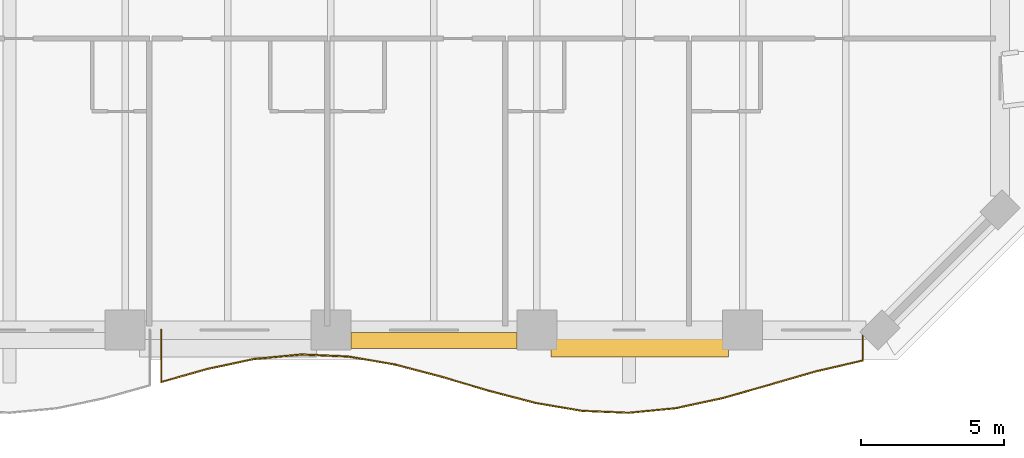
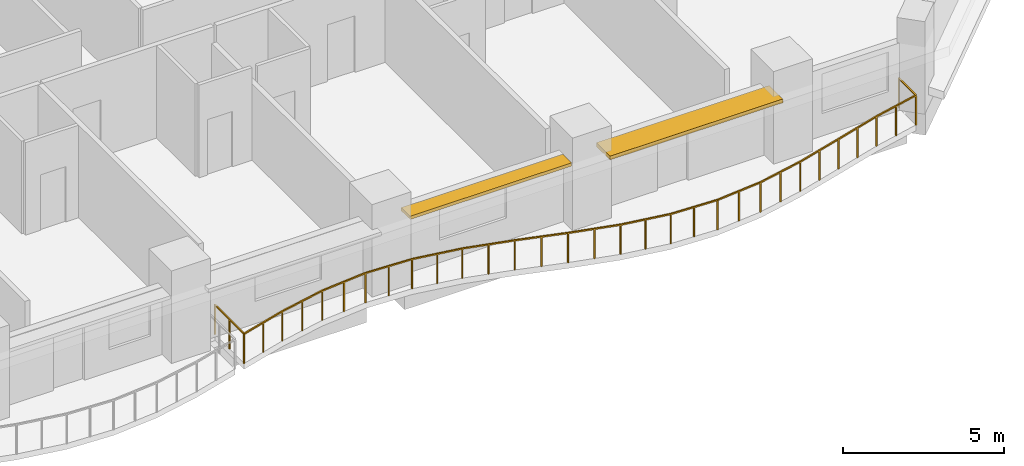
# One storey, part 14 of 15: 2 shading devices, 1 railing.
"""IFC4 building model written with IfcOpenShell, lengths in metres."""

import ifcopenshell
import ifcopenshell.guid

model = None  # the IFC model being written
_history = None  # IfcOwnerHistory: only IFC2X3 demands one
_inside = {}  # id of a spatial element -> (the spatial element, [elements in it])
_under = {}  # id of a project, library or spatial element -> (it, [spatial elements below it])
_declared = {}  # id of a project -> (the project, [libraries it declares])
_typed = {}  # id of a type object -> (the type object, [elements of that type])
_made_of = {}  # id of a material, layer set ... -> (it, [elements and type objects made of it])


def new_model(schema):
    """Start an empty IFC model of exactly this schema.

    Asked for "IFC4X3", IfcOpenShell would pick the latest addendum, in which some entities
    have other attributes; the version numbers below select the first issue.
    IFC2X3 requires an IfcOwnerHistory on every rooted entity: one is made here for all.
    """
    global model, _history
    if schema == "IFC4X3":
        model = ifcopenshell.file(schema_version=(4, 3, 0, 0))
    else:
        model = ifcopenshell.file(schema=schema)
    _inside.clear()
    _under.clear()
    _declared.clear()
    _typed.clear()
    _made_of.clear()
    _history = None
    if model.schema == "IFC2X3":
        org = make("IfcOrganization", Name="unknown")
        user = make(
            "IfcPersonAndOrganization",
            ThePerson=make("IfcPerson", FamilyName="unknown"),
            TheOrganization=org,
        )
        app = make(
            "IfcApplication",
            ApplicationDeveloper=org,
            Version="unknown",
            ApplicationFullName="unknown",
            ApplicationIdentifier="unknown",
        )
        _history = make(
            "IfcOwnerHistory",
            OwningUser=user,
            OwningApplication=app,
            ChangeAction="ADDED",
            CreationDate=0,
        )
    return model


def make(cls, **values):
    """One entity of the class cls with the attributes given. An attribute that is None is left unset."""
    return model.create_entity(
        cls, **{name: value for name, value in values.items() if value is not None}
    )


def rooted(cls, **values):
    """An entity with a GlobalId (a new one), such as an element, a storey or a relation."""
    return make(cls, GlobalId=ifcopenshell.guid.new(), OwnerHistory=_history, **values)


def si_unit(unit_type, name, prefix=None):
    """IfcSIUnit, for example si_unit("LENGTHUNIT", "METRE", prefix="MILLI")."""
    return make("IfcSIUnit", UnitType=unit_type, Prefix=prefix, Name=name)


def assignment(units):
    """IfcUnitAssignment: the units of a project."""
    return None if units is None else make("IfcUnitAssignment", Units=units)


def point(xyz):
    """IfcCartesianPoint."""
    return None if xyz is None else make("IfcCartesianPoint", Coordinates=xyz)


def direction(xyz):
    """IfcDirection."""
    return None if xyz is None else make("IfcDirection", DirectionRatios=xyz)


def frame(location, z_axis=None, x_axis=None):
    """IfcAxis2Placement3D, a coordinate frame: its origin and axes. An axis left out is left unset."""
    return make(
        "IfcAxis2Placement3D",
        Location=point(location),
        Axis=direction(z_axis),
        RefDirection=direction(x_axis),
    )


def frame_2d(location, x_axis=None):
    """IfcAxis2Placement2D, a coordinate frame in the plane: its origin and x axis."""
    return make(
        "IfcAxis2Placement2D", Location=point(location), RefDirection=direction(x_axis)
    )


def origin():
    """The frame at (0, 0, 0) with its axes left unset."""
    return frame((0.0, 0.0, 0.0))


def origin_2d():
    """The frame at (0, 0) in the plane with its x axis left unset."""
    return frame_2d((0.0, 0.0))


def place(relative_to, where):
    """IfcLocalPlacement: puts the frame where relative to a parent placement (None: the world)."""
    return make(
        "IfcLocalPlacement", PlacementRelTo=relative_to, RelativePlacement=where
    )


def context(
    kind, dimensions, precision=None, world=None, true_north=None, identifier=None
):
    """IfcGeometricRepresentationContext, for example the 3D "Model" context."""
    return make(
        "IfcGeometricRepresentationContext",
        ContextIdentifier=identifier,
        ContextType=kind,
        CoordinateSpaceDimension=dimensions,
        Precision=precision,
        WorldCoordinateSystem=world,
        TrueNorth=true_north,
    )


def subcontext(parent, identifier, kind, view, scale=None):
    """IfcGeometricRepresentationSubContext, for example "Body" below "Model"."""
    return make(
        "IfcGeometricRepresentationSubContext",
        ContextIdentifier=identifier,
        ContextType=kind,
        ParentContext=parent,
        TargetScale=scale,
        TargetView=view,
    )


def project(units=None, contexts=None):
    """IfcProject with its units and contexts."""
    return rooted(
        "IfcProject",
        Name="project",
        RepresentationContexts=contexts,
        UnitsInContext=assignment(units),
    )


def spatial(cls, under=None, at=None, **own):
    """A site, building, storey or space (cls), placed at a placement, below another one or the project."""
    s = rooted(cls, ObjectPlacement=at, **own)
    if under is not None:
        _under.setdefault(under.id(), (under, []))[1].append(s)
    return s


def profile(cls, at=None, kind="AREA", **sizes):
    """A parametric profile (cls). Its sizes go by their IFC names, for example OverallWidth=200.0."""
    return make(cls, ProfileType=kind, Position=at, **sizes)


def rectangle(**sizes):
    """IfcRectangleProfileDef."""
    return profile("IfcRectangleProfileDef", **sizes)


def extrude(swept, where, along, depth):
    """IfcExtrudedAreaSolid: the profile swept, set in the frame where, extruded along a direction by depth."""
    return make(
        "IfcExtrudedAreaSolid",
        SweptArea=swept,
        Position=where,
        ExtrudedDirection=direction(along),
        Depth=depth,
    )


def shape(context_of_items, identifier, shape_type, items):
    """IfcShapeRepresentation: the items that make up one representation, for example the "Body"."""
    return make(
        "IfcShapeRepresentation",
        ContextOfItems=context_of_items,
        RepresentationIdentifier=identifier,
        RepresentationType=shape_type,
        Items=items,
    )


def material(Name=None, Category=None):
    """IfcMaterial."""
    return make("IfcMaterial", Name=Name, Category=Category)


def layer(
    of_material, thickness, ventilated=None, Name=None, Category=None, Priority=None
):
    """IfcMaterialLayer: one layer of a wall or slab, of a material (None: an air gap)."""
    return make(
        "IfcMaterialLayer",
        Material=of_material,
        LayerThickness=thickness,
        IsVentilated=ventilated,
        Name=Name,
        Category=Category,
        Priority=Priority,
    )


def layer_set(layers, Name=None):
    """IfcMaterialLayerSet."""
    return make("IfcMaterialLayerSet", MaterialLayers=layers, LayerSetName=Name)


def made_of(thing, what):
    """Note that an element or type object is made of a material, layer set ...; save() writes the relation."""
    if what is not None:
        _made_of.setdefault(what.id(), (what, []))[1].append(thing)
    return thing


def type_object(cls, material=None, **own):
    """A type object (cls), such as IfcWallType, which elements share."""
    return made_of(rooted(cls, **own), material)


def element(
    cls,
    number,
    at=None,
    inside=None,
    cuts=None,
    type_object=None,
    material=None,
    context=None,
    identifier="Body",
    shape_type=None,
    held_by="IfcProductDefinitionShape",
    body=None,
    shapes=None,
    **own,
):
    """One element of the class cls, such as IfcWall. Its Tag is "e" and its number.

    at: its placement. inside: the storey or other place that contains it. cuts: it is an
    opening in that element (IfcRelVoidsElement). A single representation is given by context,
    identifier, shape_type and body (its items); several are given by shapes. held_by: the class
    of the entity that holds the representations. save() writes the other relations.
    """
    e = rooted(cls, Tag="e%d" % number, ObjectPlacement=at, **own)
    if body is not None:
        shapes = [shape(context, identifier, shape_type, body)]
    if shapes is not None:
        e.Representation = make(held_by, Representations=shapes)
    if inside is not None:
        _inside.setdefault(inside.id(), (inside, []))[1].append(e)
    if cuts is not None:
        rooted(
            "IfcRelVoidsElement", RelatingBuildingElement=cuts, RelatedOpeningElement=e
        )
    if type_object is not None:
        _typed.setdefault(type_object.id(), (type_object, []))[1].append(e)
    return made_of(e, material)


def aggregate(whole, parts):
    """IfcRelAggregates: a whole, such as a stair, and the parts it consists of."""
    return rooted("IfcRelAggregates", RelatingObject=whole, RelatedObjects=parts)


def save(model, path):
    """Write the relations noted so far, then the file.

    IfcRelAggregates (storeys below a building ...), IfcRelContainedInSpatialStructure (elements
    in a storey), IfcRelDefinesByType, IfcRelAssociatesMaterial and IfcRelDeclares: one each for
    every whole, place, type object, material and project.
    """
    for whole, parts in _under.values():
        aggregate(whole, parts)
    for where, things in _inside.values():
        rooted(
            "IfcRelContainedInSpatialStructure",
            RelatedElements=things,
            RelatingStructure=where,
        )
    for kind, things in _typed.values():
        rooted("IfcRelDefinesByType", RelatedObjects=things, RelatingType=kind)
    for what, things in _made_of.values():
        rooted("IfcRelAssociatesMaterial", RelatedObjects=things, RelatingMaterial=what)
    for by, libraries in _declared.values():
        rooted("IfcRelDeclares", RelatingContext=by, RelatedDefinitions=libraries)
    model.write(path)


model = new_model("IFC4")

# Units and contexts
model_context = context("Model", 3, precision=1e-05, world=origin(), true_north=direction((0.0, 1.0)))
body_context = subcontext(model_context, "Body", "Model", "MODEL_VIEW")
ifc_project = project(units=[si_unit("LENGTHUNIT", "METRE"), si_unit("AREAUNIT", "SQUARE_METRE"), si_unit("VOLUMEUNIT", "CUBIC_METRE"), si_unit("PLANEANGLEUNIT", "RADIAN"), si_unit("MASSUNIT", "GRAM", prefix="KILO")], contexts=[model_context])

# Site, building, storey
site_placement = place(None, origin())
site = spatial("IfcSite", under=ifc_project, at=site_placement, CompositionType="ELEMENT")
building_placement = place(site_placement, origin())
building = spatial("IfcBuilding", under=site, at=building_placement, Name="Kaelvorn Grand Hotel", CompositionType="ELEMENT")
storey_placement = place(building_placement, frame((0.0, 0.0, 42.64990234375)))
storey = spatial("IfcBuildingStorey", under=building, at=storey_placement, Name="L08", CompositionType="ELEMENT", Elevation=42.64990234375)

# Railing
ifc_material_1 = material(Name="Stainless Steel", Category="steel")
railing_type = type_object("IfcRailingType", Name="RL-BALC-1150", PredefinedType="BALUSTRADE", material=ifc_material_1)
railing_placement = place(storey_placement, frame((54.666748046875, 0.0, 0.0)))
element("IfcRailing", 1, at=railing_placement, inside=storey, type_object=railing_type, Name="L08 Scalloped Wave Balcony Balustrade GR1-3", PredefinedType="BALUSTRADE", context=body_context, shape_type="SweptSolid", body=[
    extrude(rectangle(XDim=0.048095703125, YDim=0.048095703125, at=origin_2d()), frame((0.0, 0.0, 1.1259765625), z_axis=(0.0, -1.0, 0.0), x_axis=(1.0, 0.0, 0.0)), (0.0, 0.0, 1.0), 1.8193359375),
    extrude(rectangle(XDim=0.048095703125, YDim=0.048095703125, at=origin_2d()), frame((0.0, -1.8193359375, 1.1259765625), z_axis=(0.962241545122, 0.272197003733, 0.0), x_axis=(-0.272197003733, 0.962241545122, 0.0)), (0.0, 0.0, 1.0), 1.69970703125),
    extrude(rectangle(XDim=0.048095703125, YDim=0.048095703125, at=origin_2d()), frame((1.635498046875, -1.356689453125, 1.1259765625), z_axis=(0.978174805455, 0.207783661466, 0.0), x_axis=(-0.207783661466, 0.978174805455, 0.0)), (0.0, 0.0, 1.0), 1.671875),
    extrude(rectangle(XDim=0.048095703125, YDim=0.048095703125, at=origin_2d()), frame((3.27099609375, -1.00927734375, 1.1259765625), z_axis=(0.995523480824, 0.09451454453, 0.0), x_axis=(-0.09451454453, 0.995523480824, 0.0)), (0.0, 0.0, 1.0), 1.642822265625),
    extrude(rectangle(XDim=0.048095703125, YDim=0.048095703125, at=origin_2d()), frame((4.906494140625, -0.85400390625, 1.1259765625), z_axis=(0.999045154146, -0.043689586592, 0.0), x_axis=(0.043689586592, 0.999045154146, 0.0)), (0.0, 0.0, 1.0), 1.63720703125),
    extrude(rectangle(XDim=0.048095703125, YDim=0.048095703125, at=origin_2d()), frame((6.542236328125, -0.925537109375, 1.1259765625), z_axis=(0.985410815118, -0.170192612792, 0.0), x_axis=(0.170192612792, 0.985410815118, 0.0)), (0.0, 0.0, 1.0), 1.65966796875),
    extrude(rectangle(XDim=0.048095703125, YDim=0.048095703125, at=origin_2d()), frame((8.177734375, -1.2080078125, 1.1259765625), z_axis=(0.967035258154, -0.254642513119, 0.0), x_axis=(0.254642513119, 0.967035258154, 0.0)), (0.0, 0.0, 1.0), 1.691162109375),
    extrude(rectangle(XDim=0.048095703125, YDim=0.048095703125, at=origin_2d()), frame((9.813232421875, -1.638671875, 1.1259765625), z_axis=(0.959066322629, -0.283181547419, 0.0), x_axis=(0.283181547419, 0.959066322629, 0.0)), (0.0, 0.0, 1.0), 1.705322265625),
    extrude(rectangle(XDim=0.048095703125, YDim=0.048095703125, at=origin_2d()), frame((11.44873046875, -2.12158203125, 1.1259765625), z_axis=(0.967363797332, -0.253391561839, 0.0), x_axis=(0.253391561839, 0.967363797332, 0.0)), (0.0, 0.0, 1.0), 1.69091796875),
    extrude(rectangle(XDim=0.048095703125, YDim=0.048095703125, at=origin_2d()), frame((13.08447265625, -2.550048828125, 1.1259765625), z_axis=(0.985827384416, -0.167762832995, 0.0), x_axis=(0.167762832995, 0.985827384416, 0.0)), (0.0, 0.0, 1.0), 1.658935546875),
    extrude(rectangle(XDim=0.048095703125, YDim=0.048095703125, at=origin_2d()), frame((14.719970703125, -2.828369140625, 1.1259765625), z_axis=(0.9991706558, -0.040718553371, 0.0), x_axis=(0.040718553371, 0.9991706558, 0.0)), (0.0, 0.0, 1.0), 1.636962890625),
    extrude(rectangle(XDim=0.048095703125, YDim=0.048095703125, at=origin_2d()), frame((16.35546875, -2.89501953125, 1.1259765625), z_axis=(0.995253950263, 0.097311738681, 0.0), x_axis=(-0.097311738681, 0.995253950263, 0.0)), (0.0, 0.0, 1.0), 1.643310546875),
    extrude(rectangle(XDim=0.048095703125, YDim=0.048095703125, at=origin_2d()), frame((17.990966796875, -2.735107421875, 1.1259765625), z_axis=(0.977727596313, 0.209877934542, 0.0), x_axis=(-0.209877934542, 0.977727596313, 0.0)), (0.0, 0.0, 1.0), 1.6728515625),
    extrude(rectangle(XDim=0.048095703125, YDim=0.048095703125, at=origin_2d()), frame((19.62646484375, -2.384033203125, 1.1259765625), z_axis=(0.962026235743, 0.272956996141, 0.0), x_axis=(-0.272956996141, 0.962026235743, 0.0)), (0.0, 0.0, 1.0), 1.7001953125),
    extrude(rectangle(XDim=0.048095703125, YDim=0.048095703125, at=origin_2d()), frame((21.26220703125, -1.919921875, 1.1259765625), z_axis=(0.960494697942, 0.278298284625, 0.0), x_axis=(-0.278298284625, 0.960494697942, 0.0)), (0.0, 0.0, 1.0), 1.702880859375),
    extrude(rectangle(XDim=0.048095703125, YDim=0.048095703125, at=origin_2d()), frame((22.897705078125, -1.446044921875, 1.1259765625), z_axis=(0.974229174149, 0.225560449187, 0.0), x_axis=(-0.225560449187, 0.974229174149, 0.0)), (0.0, 0.0, 1.0), 1.6787109375),
    extrude(rectangle(XDim=0.048095703125, YDim=0.048095703125, at=origin_2d()), frame((24.533203125, -1.0673828125, 1.1259765625), z_axis=(0.0, 1.0, 0.0), x_axis=(-1.0, 0.0, 0.0)), (0.0, 0.0, 1.0), 1.0673828125),
    extrude(rectangle(XDim=0.0419921875, YDim=0.0419921875, at=origin_2d()), origin(), (0.0, 0.0, 1.0), 1.101806640625),
    extrude(rectangle(XDim=0.0419921875, YDim=0.0419921875, at=origin_2d()), frame((0.0, -0.90966796875, 0.0)), (0.0, 0.0, 1.0), 1.101806640625),
    extrude(rectangle(XDim=0.0419921875, YDim=0.0419921875, at=origin_2d()), frame((0.0, -1.8193359375, 0.0)), (0.0, 0.0, 1.0), 1.101806640625),
    extrude(rectangle(XDim=0.0419921875, YDim=0.0419921875, at=origin_2d()), frame((0.81787109375, -1.587890625, 0.0)), (0.0, 0.0, 1.0), 1.101806640625),
    extrude(rectangle(XDim=0.0419921875, YDim=0.0419921875, at=origin_2d()), frame((1.635498046875, -1.356689453125, 0.0)), (0.0, 0.0, 1.0), 1.101806640625),
    extrude(rectangle(XDim=0.0419921875, YDim=0.0419921875, at=origin_2d()), frame((2.453125, -1.18310546875, 0.0)), (0.0, 0.0, 1.0), 1.101806640625),
    extrude(rectangle(XDim=0.0419921875, YDim=0.0419921875, at=origin_2d()), frame((3.27099609375, -1.00927734375, 0.0)), (0.0, 0.0, 1.0), 1.101806640625),
    extrude(rectangle(XDim=0.0419921875, YDim=0.0419921875, at=origin_2d()), frame((4.0888671875, -0.931640625, 0.0)), (0.0, 0.0, 1.0), 1.101806640625),
    extrude(rectangle(XDim=0.0419921875, YDim=0.0419921875, at=origin_2d()), frame((4.906494140625, -0.85400390625, 0.0)), (0.0, 0.0, 1.0), 1.101806640625),
    extrude(rectangle(XDim=0.0419921875, YDim=0.0419921875, at=origin_2d()), frame((5.724365234375, -0.8896484375, 0.0)), (0.0, 0.0, 1.0), 1.101806640625),
    extrude(rectangle(XDim=0.0419921875, YDim=0.0419921875, at=origin_2d()), frame((6.542236328125, -0.925537109375, 0.0)), (0.0, 0.0, 1.0), 1.101806640625),
    extrude(rectangle(XDim=0.0419921875, YDim=0.0419921875, at=origin_2d()), frame((7.35986328125, -1.06689453125, 0.0)), (0.0, 0.0, 1.0), 1.101806640625),
    extrude(rectangle(XDim=0.0419921875, YDim=0.0419921875, at=origin_2d()), frame((8.177734375, -1.2080078125, 0.0)), (0.0, 0.0, 1.0), 1.101806640625),
    extrude(rectangle(XDim=0.0419921875, YDim=0.0419921875, at=origin_2d()), frame((8.99560546875, -1.42333984375, 0.0)), (0.0, 0.0, 1.0), 1.101806640625),
    extrude(rectangle(XDim=0.0419921875, YDim=0.0419921875, at=origin_2d()), frame((9.813232421875, -1.638671875, 0.0)), (0.0, 0.0, 1.0), 1.101806640625),
    extrude(rectangle(XDim=0.0419921875, YDim=0.0419921875, at=origin_2d()), frame((10.630859375, -1.880126953125, 0.0)), (0.0, 0.0, 1.0), 1.101806640625),
    extrude(rectangle(XDim=0.0419921875, YDim=0.0419921875, at=origin_2d()), frame((11.44873046875, -2.12158203125, 0.0)), (0.0, 0.0, 1.0), 1.101806640625),
    extrude(rectangle(XDim=0.0419921875, YDim=0.0419921875, at=origin_2d()), frame((12.2666015625, -2.3359375, 0.0)), (0.0, 0.0, 1.0), 1.101806640625),
    extrude(rectangle(XDim=0.0419921875, YDim=0.0419921875, at=origin_2d()), frame((13.08447265625, -2.550048828125, 0.0)), (0.0, 0.0, 1.0), 1.101806640625),
    extrude(rectangle(XDim=0.0419921875, YDim=0.0419921875, at=origin_2d()), frame((13.90234375, -2.689208984375, 0.0)), (0.0, 0.0, 1.0), 1.101806640625),
    extrude(rectangle(XDim=0.0419921875, YDim=0.0419921875, at=origin_2d()), frame((14.719970703125, -2.828369140625, 0.0)), (0.0, 0.0, 1.0), 1.101806640625),
    extrude(rectangle(XDim=0.0419921875, YDim=0.0419921875, at=origin_2d()), frame((15.53759765625, -2.86181640625, 0.0)), (0.0, 0.0, 1.0), 1.101806640625),
    extrude(rectangle(XDim=0.0419921875, YDim=0.0419921875, at=origin_2d()), frame((16.35546875, -2.89501953125, 0.0)), (0.0, 0.0, 1.0), 1.101806640625),
    extrude(rectangle(XDim=0.0419921875, YDim=0.0419921875, at=origin_2d()), frame((17.17333984375, -2.81494140625, 0.0)), (0.0, 0.0, 1.0), 1.101806640625),
    extrude(rectangle(XDim=0.0419921875, YDim=0.0419921875, at=origin_2d()), frame((17.990966796875, -2.735107421875, 0.0)), (0.0, 0.0, 1.0), 1.101806640625),
    extrude(rectangle(XDim=0.0419921875, YDim=0.0419921875, at=origin_2d()), frame((18.80859375, -2.5595703125, 0.0)), (0.0, 0.0, 1.0), 1.101806640625),
    extrude(rectangle(XDim=0.0419921875, YDim=0.0419921875, at=origin_2d()), frame((19.62646484375, -2.384033203125, 0.0)), (0.0, 0.0, 1.0), 1.101806640625),
    extrude(rectangle(XDim=0.0419921875, YDim=0.0419921875, at=origin_2d()), frame((20.4443359375, -2.15185546875, 0.0)), (0.0, 0.0, 1.0), 1.101806640625),
    extrude(rectangle(XDim=0.0419921875, YDim=0.0419921875, at=origin_2d()), frame((21.26220703125, -1.919921875, 0.0)), (0.0, 0.0, 1.0), 1.101806640625),
    extrude(rectangle(XDim=0.0419921875, YDim=0.0419921875, at=origin_2d()), frame((22.080078125, -1.68310546875, 0.0)), (0.0, 0.0, 1.0), 1.101806640625),
    extrude(rectangle(XDim=0.0419921875, YDim=0.0419921875, at=origin_2d()), frame((22.897705078125, -1.446044921875, 0.0)), (0.0, 0.0, 1.0), 1.101806640625),
    extrude(rectangle(XDim=0.0419921875, YDim=0.0419921875, at=origin_2d()), frame((23.71533203125, -1.2568359375, 0.0)), (0.0, 0.0, 1.0), 1.101806640625),
    extrude(rectangle(XDim=0.0419921875, YDim=0.0419921875, at=origin_2d()), frame((24.533203125, -1.0673828125, 0.0)), (0.0, 0.0, 1.0), 1.101806640625),
    extrude(rectangle(XDim=0.0419921875, YDim=0.0419921875, at=origin_2d()), frame((24.533203125, 0.0, 0.0)), (0.0, 0.0, 1.0), 1.101806640625),
])

# Shading devices
ifc_material_2 = material(Name="Precast concrete C45/55", Category="concrete")
ifc_layer_1 = layer(ifc_material_2, 0.1201171875)
ifc_layer_set_1 = layer_set([ifc_layer_1], Name="Precast concrete C45/55")
shading_device_type_1 = type_object("IfcShadingDeviceType", Name="SHD-SUNSHADE-550", PredefinedType="USERDEFINED", material=ifc_layer_set_1)
shading_device_1_placement = place(storey_placement, frame((64.199951171875, -0.364990234375, 2.419921875), z_axis=(0.0, 0.0, 1.0), x_axis=(1.0, 0.0, 0.0)))
element("IfcShadingDevice", 2, at=shading_device_1_placement, inside=storey, type_object=shading_device_type_1, Name="L08 Horizontal Concrete Sunshade Band SS-09", ObjectType="SUNSHADE", PredefinedType="USERDEFINED", context=body_context, shape_type="SweptSolid", body=[
    extrude(rectangle(XDim=5.800048828125, YDim=0.550048828125, at=origin_2d()), origin(), (0.0, 0.0, 1.0), 0.1201171875),
])
ifc_layer_2 = layer(ifc_material_2, 0.139892578125)
ifc_layer_set_2 = layer_set([ifc_layer_2], Name="Precast concrete C45/55")
shading_device_type_2 = type_object("IfcShadingDeviceType", Name="SHD-SUNSHADE-850", PredefinedType="USERDEFINED", material=ifc_layer_set_2)
shading_device_2_placement = place(storey_placement, frame((71.39990234375, -0.514892578125, 2.41015625), z_axis=(0.0, 0.0, 1.0), x_axis=(1.0, 0.0, 0.0)))
element("IfcShadingDevice", 3, at=shading_device_2_placement, inside=storey, type_object=shading_device_type_2, Name="L08 Horizontal Concrete Sunshade Band SS-10", ObjectType="SUNSHADE", PredefinedType="USERDEFINED", context=body_context, shape_type="SweptSolid", body=[
    extrude(rectangle(XDim=6.199951171875, YDim=0.85009765625, at=origin_2d()), origin(), (0.0, 0.0, 1.0), 0.139892578125),
])

save(model, "model.ifc")
